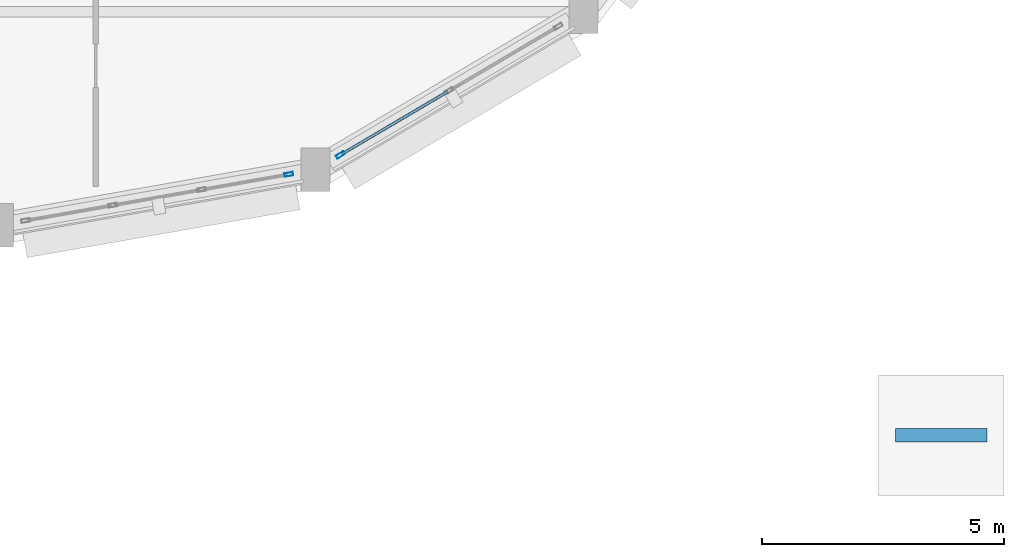
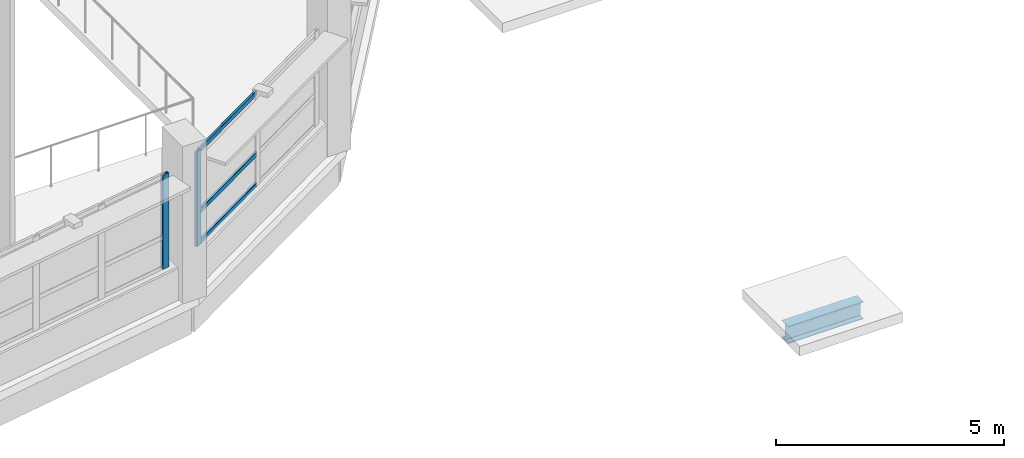
# One storey, part 94 of 128: 5 members, 1 beam, 2 elements without a shape of their own.
"""IFC4 building model written with IfcOpenShell, lengths in metres."""

import ifcopenshell
import ifcopenshell.guid

model = None  # the IFC model being written
_history = None  # IfcOwnerHistory: only IFC2X3 demands one
_inside = {}  # id of a spatial element -> (the spatial element, [elements in it])
_under = {}  # id of a project, library or spatial element -> (it, [spatial elements below it])
_declared = {}  # id of a project -> (the project, [libraries it declares])
_typed = {}  # id of a type object -> (the type object, [elements of that type])
_made_of = {}  # id of a material, layer set ... -> (it, [elements and type objects made of it])


def new_model(schema):
    """Start an empty IFC model of exactly this schema.

    Asked for "IFC4X3", IfcOpenShell would pick the latest addendum, in which some entities
    have other attributes; the version numbers below select the first issue.
    IFC2X3 requires an IfcOwnerHistory on every rooted entity: one is made here for all.
    """
    global model, _history
    if schema == "IFC4X3":
        model = ifcopenshell.file(schema_version=(4, 3, 0, 0))
    else:
        model = ifcopenshell.file(schema=schema)
    _inside.clear()
    _under.clear()
    _declared.clear()
    _typed.clear()
    _made_of.clear()
    _history = None
    if model.schema == "IFC2X3":
        org = make("IfcOrganization", Name="unknown")
        user = make(
            "IfcPersonAndOrganization",
            ThePerson=make("IfcPerson", FamilyName="unknown"),
            TheOrganization=org,
        )
        app = make(
            "IfcApplication",
            ApplicationDeveloper=org,
            Version="unknown",
            ApplicationFullName="unknown",
            ApplicationIdentifier="unknown",
        )
        _history = make(
            "IfcOwnerHistory",
            OwningUser=user,
            OwningApplication=app,
            ChangeAction="ADDED",
            CreationDate=0,
        )
    return model


def make(cls, **values):
    """One entity of the class cls with the attributes given. An attribute that is None is left unset."""
    return model.create_entity(
        cls, **{name: value for name, value in values.items() if value is not None}
    )


def rooted(cls, **values):
    """An entity with a GlobalId (a new one), such as an element, a storey or a relation."""
    return make(cls, GlobalId=ifcopenshell.guid.new(), OwnerHistory=_history, **values)


def si_unit(unit_type, name, prefix=None):
    """IfcSIUnit, for example si_unit("LENGTHUNIT", "METRE", prefix="MILLI")."""
    return make("IfcSIUnit", UnitType=unit_type, Prefix=prefix, Name=name)


def assignment(units):
    """IfcUnitAssignment: the units of a project."""
    return None if units is None else make("IfcUnitAssignment", Units=units)


def point(xyz):
    """IfcCartesianPoint."""
    return None if xyz is None else make("IfcCartesianPoint", Coordinates=xyz)


def direction(xyz):
    """IfcDirection."""
    return None if xyz is None else make("IfcDirection", DirectionRatios=xyz)


def frame(location, z_axis=None, x_axis=None):
    """IfcAxis2Placement3D, a coordinate frame: its origin and axes. An axis left out is left unset."""
    return make(
        "IfcAxis2Placement3D",
        Location=point(location),
        Axis=direction(z_axis),
        RefDirection=direction(x_axis),
    )


def frame_2d(location, x_axis=None):
    """IfcAxis2Placement2D, a coordinate frame in the plane: its origin and x axis."""
    return make(
        "IfcAxis2Placement2D", Location=point(location), RefDirection=direction(x_axis)
    )


def origin():
    """The frame at (0, 0, 0) with its axes left unset."""
    return frame((0.0, 0.0, 0.0))


def origin_2d():
    """The frame at (0, 0) in the plane with its x axis left unset."""
    return frame_2d((0.0, 0.0))


def place(relative_to, where):
    """IfcLocalPlacement: puts the frame where relative to a parent placement (None: the world)."""
    return make(
        "IfcLocalPlacement", PlacementRelTo=relative_to, RelativePlacement=where
    )


def context(
    kind, dimensions, precision=None, world=None, true_north=None, identifier=None
):
    """IfcGeometricRepresentationContext, for example the 3D "Model" context."""
    return make(
        "IfcGeometricRepresentationContext",
        ContextIdentifier=identifier,
        ContextType=kind,
        CoordinateSpaceDimension=dimensions,
        Precision=precision,
        WorldCoordinateSystem=world,
        TrueNorth=true_north,
    )


def subcontext(parent, identifier, kind, view, scale=None):
    """IfcGeometricRepresentationSubContext, for example "Body" below "Model"."""
    return make(
        "IfcGeometricRepresentationSubContext",
        ContextIdentifier=identifier,
        ContextType=kind,
        ParentContext=parent,
        TargetScale=scale,
        TargetView=view,
    )


def project(units=None, contexts=None):
    """IfcProject with its units and contexts."""
    return rooted(
        "IfcProject",
        Name="project",
        RepresentationContexts=contexts,
        UnitsInContext=assignment(units),
    )


def spatial(cls, under=None, at=None, **own):
    """A site, building, storey or space (cls), placed at a placement, below another one or the project."""
    s = rooted(cls, ObjectPlacement=at, **own)
    if under is not None:
        _under.setdefault(under.id(), (under, []))[1].append(s)
    return s


def profile(cls, at=None, kind="AREA", **sizes):
    """A parametric profile (cls). Its sizes go by their IFC names, for example OverallWidth=200.0."""
    return make(cls, ProfileType=kind, Position=at, **sizes)


def hollow_rectangle(**sizes):
    """IfcRectangleHollowProfileDef."""
    return profile("IfcRectangleHollowProfileDef", **sizes)


def i_section(**sizes):
    """IfcIShapeProfileDef."""
    return profile("IfcIShapeProfileDef", **sizes)


def extrude(swept, where, along, depth):
    """IfcExtrudedAreaSolid: the profile swept, set in the frame where, extruded along a direction by depth."""
    return make(
        "IfcExtrudedAreaSolid",
        SweptArea=swept,
        Position=where,
        ExtrudedDirection=direction(along),
        Depth=depth,
    )


def shape(context_of_items, identifier, shape_type, items):
    """IfcShapeRepresentation: the items that make up one representation, for example the "Body"."""
    return make(
        "IfcShapeRepresentation",
        ContextOfItems=context_of_items,
        RepresentationIdentifier=identifier,
        RepresentationType=shape_type,
        Items=items,
    )


def material(Name=None, Category=None):
    """IfcMaterial."""
    return make("IfcMaterial", Name=Name, Category=Category)


def layer(
    of_material, thickness, ventilated=None, Name=None, Category=None, Priority=None
):
    """IfcMaterialLayer: one layer of a wall or slab, of a material (None: an air gap)."""
    return make(
        "IfcMaterialLayer",
        Material=of_material,
        LayerThickness=thickness,
        IsVentilated=ventilated,
        Name=Name,
        Category=Category,
        Priority=Priority,
    )


def layer_set(layers, Name=None):
    """IfcMaterialLayerSet."""
    return make("IfcMaterialLayerSet", MaterialLayers=layers, LayerSetName=Name)


def material_profile(
    of_material, cross_section, Name=None, Category=None, Priority=None
):
    """IfcMaterialProfile: a cross section and its material."""
    return make(
        "IfcMaterialProfile",
        Name=Name,
        Material=of_material,
        Profile=cross_section,
        Priority=Priority,
        Category=Category,
    )


def profile_set(profiles, Name=None, composite=None):
    """IfcMaterialProfileSet."""
    return make(
        "IfcMaterialProfileSet",
        Name=Name,
        MaterialProfiles=profiles,
        CompositeProfile=composite,
    )


def made_of(thing, what):
    """Note that an element or type object is made of a material, layer set ...; save() writes the relation."""
    if what is not None:
        _made_of.setdefault(what.id(), (what, []))[1].append(thing)
    return thing


def type_object(cls, material=None, **own):
    """A type object (cls), such as IfcWallType, which elements share."""
    return made_of(rooted(cls, **own), material)


def element(
    cls,
    number,
    at=None,
    inside=None,
    cuts=None,
    type_object=None,
    material=None,
    context=None,
    identifier="Body",
    shape_type=None,
    held_by="IfcProductDefinitionShape",
    body=None,
    shapes=None,
    **own,
):
    """One element of the class cls, such as IfcWall. Its Tag is "e" and its number.

    at: its placement. inside: the storey or other place that contains it. cuts: it is an
    opening in that element (IfcRelVoidsElement). A single representation is given by context,
    identifier, shape_type and body (its items); several are given by shapes. held_by: the class
    of the entity that holds the representations. save() writes the other relations.
    """
    e = rooted(cls, Tag="e%d" % number, ObjectPlacement=at, **own)
    if body is not None:
        shapes = [shape(context, identifier, shape_type, body)]
    if shapes is not None:
        e.Representation = make(held_by, Representations=shapes)
    if inside is not None:
        _inside.setdefault(inside.id(), (inside, []))[1].append(e)
    if cuts is not None:
        rooted(
            "IfcRelVoidsElement", RelatingBuildingElement=cuts, RelatedOpeningElement=e
        )
    if type_object is not None:
        _typed.setdefault(type_object.id(), (type_object, []))[1].append(e)
    return made_of(e, material)


def aggregate(whole, parts):
    """IfcRelAggregates: a whole, such as a stair, and the parts it consists of."""
    return rooted("IfcRelAggregates", RelatingObject=whole, RelatedObjects=parts)


def save(model, path):
    """Write the relations noted so far, then the file.

    IfcRelAggregates (storeys below a building ...), IfcRelContainedInSpatialStructure (elements
    in a storey), IfcRelDefinesByType, IfcRelAssociatesMaterial and IfcRelDeclares: one each for
    every whole, place, type object, material and project.
    """
    for whole, parts in _under.values():
        aggregate(whole, parts)
    for where, things in _inside.values():
        rooted(
            "IfcRelContainedInSpatialStructure",
            RelatedElements=things,
            RelatingStructure=where,
        )
    for kind, things in _typed.values():
        rooted("IfcRelDefinesByType", RelatedObjects=things, RelatingType=kind)
    for what, things in _made_of.values():
        rooted("IfcRelAssociatesMaterial", RelatedObjects=things, RelatingMaterial=what)
    for by, libraries in _declared.values():
        rooted("IfcRelDeclares", RelatingContext=by, RelatedDefinitions=libraries)
    model.write(path)


model = new_model("IFC4")

# Units and contexts
model_context = context("Model", 3, precision=1e-05, world=origin(), true_north=direction((0.0, 1.0)))
body_context = subcontext(model_context, "Body", "Model", "MODEL_VIEW")
ifc_project = project(units=[si_unit("LENGTHUNIT", "METRE"), si_unit("AREAUNIT", "SQUARE_METRE"), si_unit("VOLUMEUNIT", "CUBIC_METRE"), si_unit("PLANEANGLEUNIT", "RADIAN"), si_unit("MASSUNIT", "GRAM", prefix="KILO")], contexts=[model_context])

# Site, building, storey
site_placement = place(None, origin())
site = spatial("IfcSite", under=ifc_project, at=site_placement, CompositionType="ELEMENT")
building_placement = place(site_placement, origin())
building = spatial("IfcBuilding", under=site, at=building_placement, Name="Vespera Passage Community Centre", CompositionType="ELEMENT")
storey_placement = place(building_placement, frame((0.0, 0.0, 4.5)))
storey = spatial("IfcBuildingStorey", under=building, at=storey_placement, Name="L01", CompositionType="ELEMENT", Elevation=4.5)

# Beam
ifc_material_1 = material(Name="Steel ASTM A992 Grade 50", Category="steel")
ifc_material_profile_1 = material_profile(ifc_material_1, i_section(OverallWidth=0.280517578125, OverallDepth=0.46240234375, WebThickness=0.0107421875, FlangeThickness=0.017333984375, FilletRadius=0.01025390625, at=origin_2d()), Name="W18X76")
ifc_profile_set_1 = profile_set([ifc_material_profile_1], Name="Steel ASTM A992 Grade 50")
beam_type = type_object("IfcBeamType", Name="BM-RB-W18X76E", PredefinedType="SPANDREL", material=ifc_profile_set_1)
beam_placement = place(storey_placement, frame((161.550048828125, 70.050048828125, -1.9912109375), z_axis=(1.0, 0.0, 0.0), x_axis=(0.0, 1.0, 0.0)))
element("IfcBeam", 1, at=beam_placement, inside=storey, type_object=beam_type, Name="Bridge Pier Cap 5", PredefinedType="SPANDREL", context=body_context, shape_type="SweptSolid", body=[
    extrude(i_section(OverallWidth=0.280517578125, OverallDepth=0.46240234375, WebThickness=0.0107421875, FlangeThickness=0.017333984375, FilletRadius=0.01025390625, at=origin_2d()), origin(), (0.0, 0.0, 1.0), 1.89990234375),
])

# Curtain wall, member
ifc_material_2 = material(Name="Anodized aluminium 6063-T6", Category="aluminium")
ifc_layer_1 = layer(ifc_material_2, 0.159912109375)
ifc_layer_set_1 = layer_set([ifc_layer_1], Name="Anodized aluminium 6063-T6")
curtain_wall_type_1 = type_object("IfcCurtainWallType", Name="CW-95E", PredefinedType="NOTDEFINED", material=ifc_layer_set_1)
curtain_wall_1_placement = place(storey_placement, origin())
curtain_wall_1 = element("IfcCurtainWall", 2, at=curtain_wall_1_placement, inside=storey, type_object=curtain_wall_type_1, Name="Sports Drum Ribbon Curtain Wall L01.13", PredefinedType="NOTDEFINED")
ifc_material_3 = material(Name="Anodized aluminium 6063-T6", Category="aluminium")
ifc_material_profile_2 = material_profile(ifc_material_3, hollow_rectangle(XDim=0.074951171875, YDim=0.179931640625, WallThickness=0.0048828125, InnerFilletRadius=0.00244140625, OuterFilletRadius=0.0048828125, at=origin_2d()), Name="ALU180X75X5")
ifc_profile_set_2 = profile_set([ifc_material_profile_2], Name="Anodized aluminium 6063-T6")
member_type_1 = type_object("IfcMemberType", Name="MB-CWM-180E", PredefinedType="MULLION", material=ifc_profile_set_2)
member_1_placement = place(storey_placement, frame((148.9951171875, 75.453125, 0.85009765625), z_axis=(0.0, 0.0, 1.0), x_axis=(0.172994429562, -0.984922802731, 0.0)))
member_1 = element("IfcMember", 3, at=member_1_placement, type_object=member_type_1, Name="CW-95E mullion 1", PredefinedType="MULLION", context=body_context, shape_type="SweptSolid", body=[
    extrude(hollow_rectangle(XDim=0.074951171875, YDim=0.179931640625, WallThickness=0.0048828125, InnerFilletRadius=0.00244140625, OuterFilletRadius=0.0048828125, at=origin_2d()), origin(), (0.0, 0.0, 1.0), 2.514892578125),
])
aggregate(curtain_wall_1, [member_1])

# Curtain wall, members
ifc_material_4 = material(Name="Anodized aluminium 6063-T6", Category="aluminium")
ifc_layer_2 = layer(ifc_material_4, 0.159912109375)
ifc_layer_set_2 = layer_set([ifc_layer_2], Name="Anodized aluminium 6063-T6")
curtain_wall_type_2 = type_object("IfcCurtainWallType", Name="CW-94E", PredefinedType="NOTDEFINED", material=ifc_layer_set_2)
curtain_wall_2_placement = place(storey_placement, origin())
curtain_wall_2 = element("IfcCurtainWall", 4, at=curtain_wall_2_placement, inside=storey, type_object=curtain_wall_type_2, Name="Sports Drum Ribbon Curtain Wall L01.14", PredefinedType="NOTDEFINED")
member_2_placement = place(storey_placement, frame((150.061279296875, 75.854736328125, 0.85009765625), z_axis=(0.0, 0.0, 1.0), x_axis=(0.50817007737, -0.861256740157, 0.0)))
member_2 = element("IfcMember", 5, at=member_2_placement, type_object=member_type_1, Name="CW-94E mullion 3", PredefinedType="MULLION", context=body_context, shape_type="SweptSolid", body=[
    extrude(hollow_rectangle(XDim=0.074951171875, YDim=0.179931640625, WallThickness=0.0048828125, InnerFilletRadius=0.00244140625, OuterFilletRadius=0.0048828125, at=origin_2d()), origin(), (0.0, 0.0, 1.0), 2.514892578125),
])
ifc_material_5 = material(Name="Anodized aluminium 6063-T6", Category="aluminium")
ifc_material_profile_3 = material_profile(ifc_material_5, hollow_rectangle(XDim=0.06005859375, YDim=0.1201171875, WallThickness=0.00390625, InnerFilletRadius=0.001953125, OuterFilletRadius=0.00390625, at=origin_2d()), Name="ALU120X60X4")
ifc_profile_set_3 = profile_set([ifc_material_profile_3], Name="Anodized aluminium 6063-T6")
member_type_2 = type_object("IfcMemberType", Name="MB-CWT-120E", PredefinedType="USERDEFINED", material=ifc_profile_set_3)
member_3_placement = place(storey_placement, frame((152.285400390625, 77.1669921875, 0.8798828125), z_axis=(-0.861245323455, -0.508189426127, 0.0), x_axis=(0.508189426127, -0.861245323455, 0.0)))
member_3 = element("IfcMember", 6, at=member_3_placement, type_object=member_type_2, Name="CW-94E transom 2.1", ObjectType="TRANSOM", PredefinedType="USERDEFINED", context=body_context, shape_type="SweptSolid", body=[
    extrude(hollow_rectangle(XDim=0.06005859375, YDim=0.1201171875, WallThickness=0.00390625, InnerFilletRadius=0.001953125, OuterFilletRadius=0.00390625, at=origin_2d()), origin(), (0.0, 0.0, 1.0), 2.544677734375),
])
member_4_placement = place(storey_placement, frame((152.285400390625, 77.1669921875, 1.699951171875), z_axis=(-0.861245323455, -0.508189426127, 0.0), x_axis=(0.508189426127, -0.861245323455, 0.0)))
member_4 = element("IfcMember", 7, at=member_4_placement, type_object=member_type_2, Name="CW-94E transom 2.2", ObjectType="TRANSOM", PredefinedType="USERDEFINED", context=body_context, shape_type="SweptSolid", body=[
    extrude(hollow_rectangle(XDim=0.06005859375, YDim=0.1201171875, WallThickness=0.00390625, InnerFilletRadius=0.001953125, OuterFilletRadius=0.00390625, at=origin_2d()), origin(), (0.0, 0.0, 1.0), 2.544677734375),
])
member_5_placement = place(storey_placement, frame((152.285400390625, 77.1669921875, 3.3349609375), z_axis=(-0.861245323455, -0.508189426127, 0.0), x_axis=(0.508189426127, -0.861245323455, 0.0)))
member_5 = element("IfcMember", 8, at=member_5_placement, type_object=member_type_2, Name="CW-94E transom 2.3", ObjectType="TRANSOM", PredefinedType="USERDEFINED", context=body_context, shape_type="SweptSolid", body=[
    extrude(hollow_rectangle(XDim=0.06005859375, YDim=0.1201171875, WallThickness=0.00390625, InnerFilletRadius=0.001953125, OuterFilletRadius=0.00390625, at=origin_2d()), origin(), (0.0, 0.0, 1.0), 2.544677734375),
])
aggregate(curtain_wall_2, [member_2, member_3, member_4, member_5])

save(model, "model.ifc")
